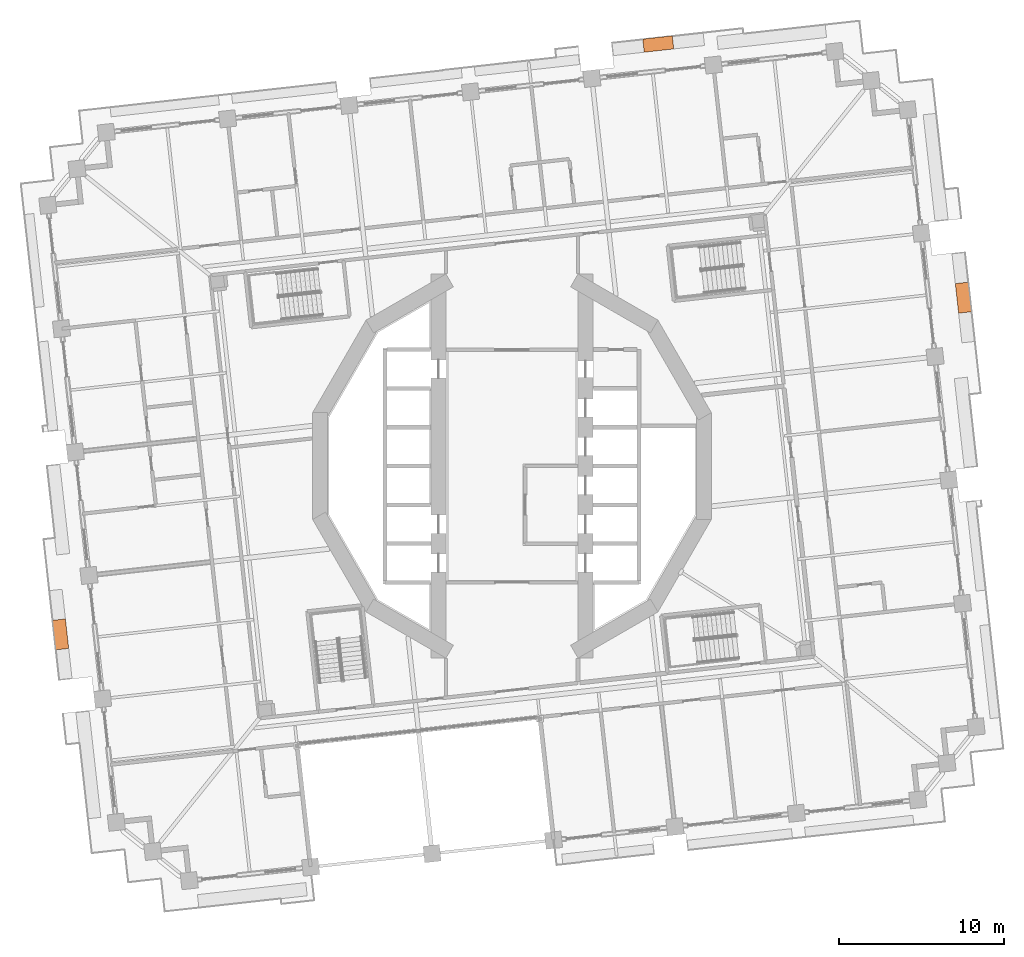
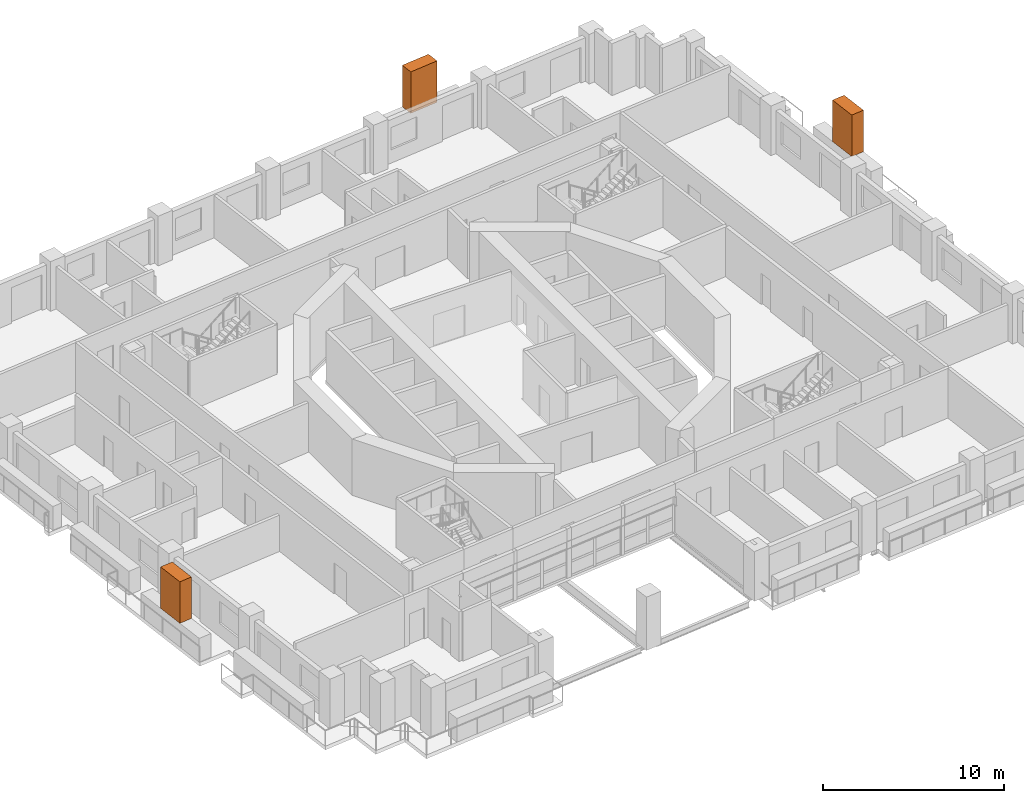
# One storey, part 21 of 21: 3 proxies.
"""IFC4 building model written with IfcOpenShell, lengths in metres."""

from ifc_helpers import new_model, si_unit, direction, frame, origin, origin_2d, place, context, subcontext, project, spatial, rectangle, extrude, element, save


model = new_model("IFC4")

# Units and contexts
model_context = context("Model", 3, precision=1e-05, world=origin(), true_north=direction((0.0, 1.0)))
body_context = subcontext(model_context, "Body", "Model", "MODEL_VIEW")
ifc_project = project(units=[si_unit("LENGTHUNIT", "METRE"), si_unit("AREAUNIT", "SQUARE_METRE"), si_unit("VOLUMEUNIT", "CUBIC_METRE"), si_unit("PLANEANGLEUNIT", "RADIAN"), si_unit("MASSUNIT", "GRAM", prefix="KILO")], contexts=[model_context])

# Site, building, storey
site_placement = place(None, origin())
site = spatial("IfcSite", under=ifc_project, at=site_placement, CompositionType="ELEMENT")
building_placement = place(site_placement, origin())
building = spatial("IfcBuilding", under=site, at=building_placement, Name="Cantera Rosa Tower", CompositionType="ELEMENT")
storey_placement = place(building_placement, frame((0.0, 0.0, 80.5)))
storey = spatial("IfcBuildingStorey", under=building, at=storey_placement, Name="L17", CompositionType="ELEMENT", Elevation=80.5)

# Proxies
for number, where, z_axis, x_axis, name in (
    (1, (27.348388671875, 10.19921875, 1.60009765625), (0.0, 0.0, 1.0), (-0.110312555526, 0.993896946415, 0.0), "TREE L17-04"),
    (2, (8.859375, 25.5615234375, 1.60009765625), (0.0, 0.0, 1.0), (-0.993896946415, -0.110312555526, 0.0), "TREE L17-07"),
    (3, (-27.348388671875, -10.19921875, 1.60009765625), (0.0, 0.0, 1.0), (0.110312555526, -0.993896946415, 0.0), "TREE L17-15"),
):
    element("IfcBuildingElementProxy", number, at=place(storey_placement, frame(where, z_axis=z_axis, x_axis=x_axis)), inside=storey, Name=name, ObjectType="TREE", PredefinedType="USERDEFINED", context=body_context, shape_type="SweptSolid", body=[
        extrude(rectangle(XDim=1.800048828125, YDim=0.800048828125, at=origin_2d()), origin(), (0.0, 0.0, 1.0), 2.800048828125),
    ])

save(model, "model.ifc")
